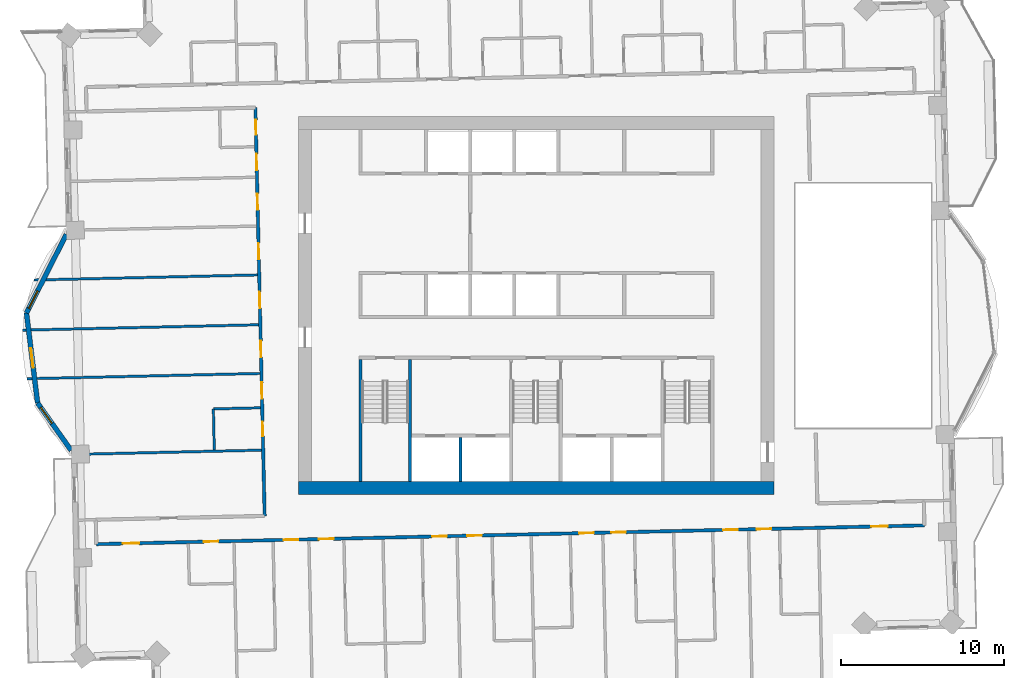
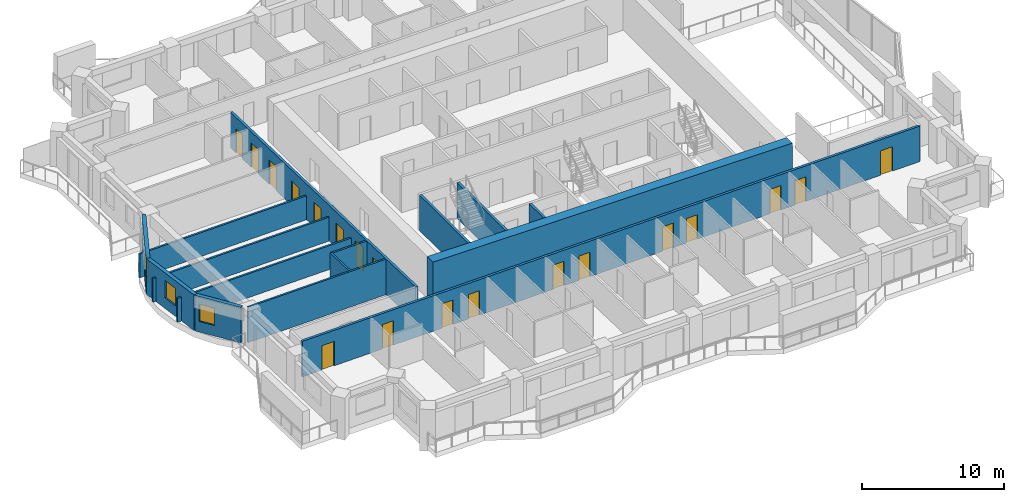
# One storey, part 7 of 16: 19 doors, 15 walls, 3 windows, 22 openings.
"""IFC4 building model written with IfcOpenShell, lengths in metres."""

import ifcopenshell
import ifcopenshell.guid

model = None  # the IFC model being written
_history = None  # IfcOwnerHistory: only IFC2X3 demands one
_inside = {}  # id of a spatial element -> (the spatial element, [elements in it])
_under = {}  # id of a project, library or spatial element -> (it, [spatial elements below it])
_declared = {}  # id of a project -> (the project, [libraries it declares])
_typed = {}  # id of a type object -> (the type object, [elements of that type])
_made_of = {}  # id of a material, layer set ... -> (it, [elements and type objects made of it])


def new_model(schema):
    """Start an empty IFC model of exactly this schema.

    Asked for "IFC4X3", IfcOpenShell would pick the latest addendum, in which some entities
    have other attributes; the version numbers below select the first issue.
    IFC2X3 requires an IfcOwnerHistory on every rooted entity: one is made here for all.
    """
    global model, _history
    if schema == "IFC4X3":
        model = ifcopenshell.file(schema_version=(4, 3, 0, 0))
    else:
        model = ifcopenshell.file(schema=schema)
    _inside.clear()
    _under.clear()
    _declared.clear()
    _typed.clear()
    _made_of.clear()
    _history = None
    if model.schema == "IFC2X3":
        org = make("IfcOrganization", Name="unknown")
        user = make(
            "IfcPersonAndOrganization",
            ThePerson=make("IfcPerson", FamilyName="unknown"),
            TheOrganization=org,
        )
        app = make(
            "IfcApplication",
            ApplicationDeveloper=org,
            Version="unknown",
            ApplicationFullName="unknown",
            ApplicationIdentifier="unknown",
        )
        _history = make(
            "IfcOwnerHistory",
            OwningUser=user,
            OwningApplication=app,
            ChangeAction="ADDED",
            CreationDate=0,
        )
    return model


def make(cls, **values):
    """One entity of the class cls with the attributes given. An attribute that is None is left unset."""
    return model.create_entity(
        cls, **{name: value for name, value in values.items() if value is not None}
    )


def rooted(cls, **values):
    """An entity with a GlobalId (a new one), such as an element, a storey or a relation."""
    return make(cls, GlobalId=ifcopenshell.guid.new(), OwnerHistory=_history, **values)


def si_unit(unit_type, name, prefix=None):
    """IfcSIUnit, for example si_unit("LENGTHUNIT", "METRE", prefix="MILLI")."""
    return make("IfcSIUnit", UnitType=unit_type, Prefix=prefix, Name=name)


def assignment(units):
    """IfcUnitAssignment: the units of a project."""
    return None if units is None else make("IfcUnitAssignment", Units=units)


def point(xyz):
    """IfcCartesianPoint."""
    return None if xyz is None else make("IfcCartesianPoint", Coordinates=xyz)


def direction(xyz):
    """IfcDirection."""
    return None if xyz is None else make("IfcDirection", DirectionRatios=xyz)


def frame(location, z_axis=None, x_axis=None):
    """IfcAxis2Placement3D, a coordinate frame: its origin and axes. An axis left out is left unset."""
    return make(
        "IfcAxis2Placement3D",
        Location=point(location),
        Axis=direction(z_axis),
        RefDirection=direction(x_axis),
    )


def frame_2d(location, x_axis=None):
    """IfcAxis2Placement2D, a coordinate frame in the plane: its origin and x axis."""
    return make(
        "IfcAxis2Placement2D", Location=point(location), RefDirection=direction(x_axis)
    )


def origin():
    """The frame at (0, 0, 0) with its axes left unset."""
    return frame((0.0, 0.0, 0.0))


def place(relative_to, where):
    """IfcLocalPlacement: puts the frame where relative to a parent placement (None: the world)."""
    return make(
        "IfcLocalPlacement", PlacementRelTo=relative_to, RelativePlacement=where
    )


def context(
    kind, dimensions, precision=None, world=None, true_north=None, identifier=None
):
    """IfcGeometricRepresentationContext, for example the 3D "Model" context."""
    return make(
        "IfcGeometricRepresentationContext",
        ContextIdentifier=identifier,
        ContextType=kind,
        CoordinateSpaceDimension=dimensions,
        Precision=precision,
        WorldCoordinateSystem=world,
        TrueNorth=true_north,
    )


def subcontext(parent, identifier, kind, view, scale=None):
    """IfcGeometricRepresentationSubContext, for example "Body" below "Model"."""
    return make(
        "IfcGeometricRepresentationSubContext",
        ContextIdentifier=identifier,
        ContextType=kind,
        ParentContext=parent,
        TargetScale=scale,
        TargetView=view,
    )


def project(units=None, contexts=None):
    """IfcProject with its units and contexts."""
    return rooted(
        "IfcProject",
        Name="project",
        RepresentationContexts=contexts,
        UnitsInContext=assignment(units),
    )


def spatial(cls, under=None, at=None, **own):
    """A site, building, storey or space (cls), placed at a placement, below another one or the project."""
    s = rooted(cls, ObjectPlacement=at, **own)
    if under is not None:
        _under.setdefault(under.id(), (under, []))[1].append(s)
    return s


def profile(cls, at=None, kind="AREA", **sizes):
    """A parametric profile (cls). Its sizes go by their IFC names, for example OverallWidth=200.0."""
    return make(cls, ProfileType=kind, Position=at, **sizes)


def rectangle(**sizes):
    """IfcRectangleProfileDef."""
    return profile("IfcRectangleProfileDef", **sizes)


def extrude(swept, where, along, depth):
    """IfcExtrudedAreaSolid: the profile swept, set in the frame where, extruded along a direction by depth."""
    return make(
        "IfcExtrudedAreaSolid",
        SweptArea=swept,
        Position=where,
        ExtrudedDirection=direction(along),
        Depth=depth,
    )


def shape(context_of_items, identifier, shape_type, items):
    """IfcShapeRepresentation: the items that make up one representation, for example the "Body"."""
    return make(
        "IfcShapeRepresentation",
        ContextOfItems=context_of_items,
        RepresentationIdentifier=identifier,
        RepresentationType=shape_type,
        Items=items,
    )


def material(Name=None, Category=None):
    """IfcMaterial."""
    return make("IfcMaterial", Name=Name, Category=Category)


def layer(
    of_material, thickness, ventilated=None, Name=None, Category=None, Priority=None
):
    """IfcMaterialLayer: one layer of a wall or slab, of a material (None: an air gap)."""
    return make(
        "IfcMaterialLayer",
        Material=of_material,
        LayerThickness=thickness,
        IsVentilated=ventilated,
        Name=Name,
        Category=Category,
        Priority=Priority,
    )


def layer_set(layers, Name=None):
    """IfcMaterialLayerSet."""
    return make("IfcMaterialLayerSet", MaterialLayers=layers, LayerSetName=Name)


def made_of(thing, what):
    """Note that an element or type object is made of a material, layer set ...; save() writes the relation."""
    if what is not None:
        _made_of.setdefault(what.id(), (what, []))[1].append(thing)
    return thing


def type_object(cls, material=None, **own):
    """A type object (cls), such as IfcWallType, which elements share."""
    return made_of(rooted(cls, **own), material)


def element(
    cls,
    number,
    at=None,
    inside=None,
    cuts=None,
    type_object=None,
    material=None,
    context=None,
    identifier="Body",
    shape_type=None,
    held_by="IfcProductDefinitionShape",
    body=None,
    shapes=None,
    **own,
):
    """One element of the class cls, such as IfcWall. Its Tag is "e" and its number.

    at: its placement. inside: the storey or other place that contains it. cuts: it is an
    opening in that element (IfcRelVoidsElement). A single representation is given by context,
    identifier, shape_type and body (its items); several are given by shapes. held_by: the class
    of the entity that holds the representations. save() writes the other relations.
    """
    e = rooted(cls, Tag="e%d" % number, ObjectPlacement=at, **own)
    if body is not None:
        shapes = [shape(context, identifier, shape_type, body)]
    if shapes is not None:
        e.Representation = make(held_by, Representations=shapes)
    if inside is not None:
        _inside.setdefault(inside.id(), (inside, []))[1].append(e)
    if cuts is not None:
        rooted(
            "IfcRelVoidsElement", RelatingBuildingElement=cuts, RelatedOpeningElement=e
        )
    if type_object is not None:
        _typed.setdefault(type_object.id(), (type_object, []))[1].append(e)
    return made_of(e, material)


def fill(opening, filler):
    """IfcRelFillsElement: the door or window that sits in an opening."""
    return rooted(
        "IfcRelFillsElement",
        RelatingOpeningElement=opening,
        RelatedBuildingElement=filler,
    )


def aggregate(whole, parts):
    """IfcRelAggregates: a whole, such as a stair, and the parts it consists of."""
    return rooted("IfcRelAggregates", RelatingObject=whole, RelatedObjects=parts)


def save(model, path):
    """Write the relations noted so far, then the file.

    IfcRelAggregates (storeys below a building ...), IfcRelContainedInSpatialStructure (elements
    in a storey), IfcRelDefinesByType, IfcRelAssociatesMaterial and IfcRelDeclares: one each for
    every whole, place, type object, material and project.
    """
    for whole, parts in _under.values():
        aggregate(whole, parts)
    for where, things in _inside.values():
        rooted(
            "IfcRelContainedInSpatialStructure",
            RelatedElements=things,
            RelatingStructure=where,
        )
    for kind, things in _typed.values():
        rooted("IfcRelDefinesByType", RelatedObjects=things, RelatingType=kind)
    for what, things in _made_of.values():
        rooted("IfcRelAssociatesMaterial", RelatedObjects=things, RelatingMaterial=what)
    for by, libraries in _declared.values():
        rooted("IfcRelDeclares", RelatingContext=by, RelatedDefinitions=libraries)
    model.write(path)


model = new_model("IFC4")

# Units and contexts
model_context = context("Model", 3, precision=1e-05, world=origin(), true_north=direction((0.0, 1.0)))
body_context = subcontext(model_context, "Body", "Model", "MODEL_VIEW")
ifc_project = project(units=[si_unit("LENGTHUNIT", "METRE"), si_unit("AREAUNIT", "SQUARE_METRE"), si_unit("VOLUMEUNIT", "CUBIC_METRE"), si_unit("PLANEANGLEUNIT", "RADIAN"), si_unit("MASSUNIT", "GRAM", prefix="KILO")], contexts=[model_context])

# Site, building, storey
site_placement = place(None, origin())
site = spatial("IfcSite", under=ifc_project, at=site_placement, CompositionType="ELEMENT")
building_placement = place(site_placement, origin())
building = spatial("IfcBuilding", under=site, at=building_placement, Name="Mangrove Gate Tower", CompositionType="ELEMENT")
storey_placement = place(building_placement, frame((0.0, 0.0, 231.10009765625)))
storey = spatial("IfcBuildingStorey", under=building, at=storey_placement, Name="L58", CompositionType="ELEMENT", Elevation=231.10009765625)

# Walls
ifc_material_1 = material(Name="Concrete C60/75", Category="concrete")
ifc_layer_1 = layer(ifc_material_1, 0.199951171875)
ifc_layer_set_1 = layer_set([ifc_layer_1], Name="Core shaft wall 200 C60/75")
wall_type_1 = type_object("IfcWallType", Name="Core shaft wall 200 C60/75", PredefinedType="SHEAR", material=ifc_layer_set_1)
wall_1_placement = place(storey_placement, frame((-4.64990234375, -10.800048828125, 0.0), z_axis=(0.0, 0.0, 1.0), x_axis=(0.0, 1.0, 0.0)))
element("IfcWall", 1, at=wall_1_placement, inside=storey, type_object=wall_type_1, Name="WALL-L58-CORE-16", PredefinedType="SHEAR", context=body_context, shape_type="SweptSolid", body=[
    extrude(rectangle(XDim=2.699951171875, YDim=0.199951171875, at=frame_2d((1.35009765625, 0.0))), origin(), (0.0, 0.0, 1.0), 3.0498046875),
])
ifc_material_2 = material(Name="Concrete C60/75", Category="concrete")
ifc_layer_2 = layer(ifc_material_2, 0.199951171875)
ifc_layer_set_2 = layer_set([ifc_layer_2], Name="Core stair wall 200 C60/75")
wall_type_2 = type_object("IfcWallType", Name="Core stair wall 200 C60/75", PredefinedType="SHEAR", material=ifc_layer_set_2)
for number, where, z_axis, x_axis, name in (
    (2, (-10.800048828125, -10.800048828125, 0.0), (0.0, 0.0, 1.0), (0.0, 1.0, 0.0), "WALL-L58-CORE-9"),
    (3, (-7.75, -10.800048828125, 0.0), (0.0, 0.0, 1.0), (0.0, 1.0, 0.0), "WALL-L58-CORE-10"),
):
    element("IfcWall", number, at=place(storey_placement, frame(where, z_axis=z_axis, x_axis=x_axis)), inside=storey, type_object=wall_type_2, Name=name, PredefinedType="SHEAR", context=body_context, shape_type="SweptSolid", body=[
        extrude(rectangle(XDim=7.5, YDim=0.199951171875, at=frame_2d((3.75, 0.0))), origin(), (0.0, 0.0, 1.0), 3.0498046875),
    ])
ifc_material_3 = material(Name="Concrete C60/75", Category="concrete")
ifc_layer_3 = layer(ifc_material_3, 0.800048828125)
ifc_layer_set_3 = layer_set([ifc_layer_3], Name="Core wall 800 C60/75")
wall_type_3 = type_object("IfcWallType", Name="Core wall 800 C60/75", PredefinedType="SHEAR", material=ifc_layer_set_3)
wall_2_placement = place(storey_placement, frame((-14.60009765625, -11.199951171875, 0.0), z_axis=(0.0, 0.0, 1.0), x_axis=(1.0, 0.0, 0.0)))
element("IfcWall", 4, at=wall_2_placement, inside=storey, type_object=wall_type_3, Name="WALL-L58-CORE-1", PredefinedType="SHEAR", context=body_context, shape_type="SweptSolid", body=[
    extrude(rectangle(XDim=29.2001953125, YDim=0.800048828125, at=frame_2d((14.60009765625, 0.0))), origin(), (0.0, 0.0, 1.0), 3.599853515625),
])

# Wall, openings, doors
ifc_material_4 = material(Name="Gypsum board on steel stud, EI 60", Category="steel")
ifc_layer_4 = layer(ifc_material_4, 0.199951171875)
ifc_layer_set_4 = layer_set([ifc_layer_4], Name="Corridor wall EI 60")
wall_type_4 = type_object("IfcWallType", Name="Corridor wall EI 60", PredefinedType="PARTITIONING", material=ifc_layer_set_4)
wall_3_placement = place(storey_placement, frame((-27.01611328125, -14.64990234375, 0.0), z_axis=(0.0, 0.0, 1.0), x_axis=(0.999742623033, 0.022686729391, 0.0)))
wall_3 = element("IfcWall", 5, at=wall_3_placement, inside=storey, type_object=wall_type_4, Name="WALL-L58-029", PredefinedType="PARTITIONING", context=body_context, shape_type="SweptSolid", body=[
    extrude(rectangle(XDim=50.8583984375, YDim=0.199951171875, at=frame_2d((25.42919921875, 0.0))), origin(), (0.0, 0.0, 1.0), 3.0498046875),
])
opening_1_placement = place(wall_3_placement, frame((1.625, 0.0, 0.0)))
opening_1 = element("IfcOpeningElement", 6, at=opening_1_placement, cuts=wall_3, Name="Opening AD", PredefinedType="OPENING", context=body_context, shape_type="SweptSolid", body=[
    extrude(rectangle(XDim=1.0, YDim=2.10009765625, at=frame_2d((0.5, 1.050048828125))), frame((0.0, 0.10986328125, 0.0), z_axis=(0.0, -1.0, 0.0), x_axis=(1.0, 0.0, 0.0)), (0.0, 0.0, 1.0), 0.219970703125),
])
opening_2_placement = place(wall_3_placement, frame((6.60009765625, 0.0, 0.0)))
opening_2 = element("IfcOpeningElement", 7, at=opening_2_placement, cuts=wall_3, Name="Opening SD", PredefinedType="OPENING", context=body_context, shape_type="SweptSolid", body=[
    extrude(rectangle(XDim=0.89990234375, YDim=2.10009765625, at=frame_2d((0.449951171875, 1.050048828125))), frame((0.0, 0.10986328125, 0.0), z_axis=(0.0, -1.0, 0.0), x_axis=(1.0, 0.0, 0.0)), (0.0, 0.0, 1.0), 0.219970703125),
])
opening_3_placement = place(wall_3_placement, frame((11.5, 0.0, 0.0)))
opening_3 = element("IfcOpeningElement", 8, at=opening_3_placement, cuts=wall_3, Name="Opening BD", PredefinedType="OPENING", context=body_context, shape_type="SweptSolid", body=[
    extrude(rectangle(XDim=0.89990234375, YDim=2.10009765625, at=frame_2d((0.449951171875, 1.050048828125))), frame((0.0, 0.10986328125, 0.0), z_axis=(0.0, -1.0, 0.0), x_axis=(1.0, 0.0, 0.0)), (0.0, 0.0, 1.0), 0.219970703125),
])
opening_4_placement = place(wall_3_placement, frame((13.675048828125, 0.0, 0.0)))
opening_4 = element("IfcOpeningElement", 9, at=opening_4_placement, cuts=wall_3, Name="Opening BD", PredefinedType="OPENING", context=body_context, shape_type="SweptSolid", body=[
    extrude(rectangle(XDim=0.89990234375, YDim=2.10009765625, at=frame_2d((0.449951171875, 1.050048828125))), frame((0.0, 0.10986328125, 0.0), z_axis=(0.0, -1.0, 0.0), x_axis=(1.0, 0.0, 0.0)), (0.0, 0.0, 1.0), 0.219970703125),
])
opening_5_placement = place(wall_3_placement, frame((20.625, 0.0, 0.0)))
opening_5 = element("IfcOpeningElement", 10, at=opening_5_placement, cuts=wall_3, Name="Opening BD", PredefinedType="OPENING", context=body_context, shape_type="SweptSolid", body=[
    extrude(rectangle(XDim=0.89990234375, YDim=2.10009765625, at=frame_2d((0.449951171875, 1.050048828125))), frame((0.0, 0.10986328125, 0.0), z_axis=(0.0, -1.0, 0.0), x_axis=(1.0, 0.0, 0.0)), (0.0, 0.0, 1.0), 0.219970703125),
])
opening_6_placement = place(wall_3_placement, frame((22.77490234375, 0.0, 0.0)))
opening_6 = element("IfcOpeningElement", 11, at=opening_6_placement, cuts=wall_3, Name="Opening BD", PredefinedType="OPENING", context=body_context, shape_type="SweptSolid", body=[
    extrude(rectangle(XDim=0.89990234375, YDim=2.10009765625, at=frame_2d((0.449951171875, 1.050048828125))), frame((0.0, 0.10986328125, 0.0), z_axis=(0.0, -1.0, 0.0), x_axis=(1.0, 0.0, 0.0)), (0.0, 0.0, 1.0), 0.219970703125),
])
opening_7_placement = place(wall_3_placement, frame((29.64990234375, 0.0, 0.0)))
opening_7 = element("IfcOpeningElement", 12, at=opening_7_placement, cuts=wall_3, Name="Opening BD", PredefinedType="OPENING", context=body_context, shape_type="SweptSolid", body=[
    extrude(rectangle(XDim=0.89990234375, YDim=2.10009765625, at=frame_2d((0.449951171875, 1.050048828125))), frame((0.0, 0.10986328125, 0.0), z_axis=(0.0, -1.0, 0.0), x_axis=(1.0, 0.0, 0.0)), (0.0, 0.0, 1.0), 0.219970703125),
])
opening_8_placement = place(wall_3_placement, frame((31.625, 0.0, 0.0)))
opening_8 = element("IfcOpeningElement", 13, at=opening_8_placement, cuts=wall_3, Name="Opening BD", PredefinedType="OPENING", context=body_context, shape_type="SweptSolid", body=[
    extrude(rectangle(XDim=0.89990234375, YDim=2.10009765625, at=frame_2d((0.449951171875, 1.050048828125))), frame((0.0, 0.10986328125, 0.0), z_axis=(0.0, -1.0, 0.0), x_axis=(1.0, 0.0, 0.0)), (0.0, 0.0, 1.0), 0.219970703125),
])
opening_9_placement = place(wall_3_placement, frame((38.5, 0.0, 0.0)))
opening_9 = element("IfcOpeningElement", 14, at=opening_9_placement, cuts=wall_3, Name="Opening BD", PredefinedType="OPENING", context=body_context, shape_type="SweptSolid", body=[
    extrude(rectangle(XDim=0.89990234375, YDim=2.10009765625, at=frame_2d((0.449951171875, 1.050048828125))), frame((0.0, 0.10986328125, 0.0), z_axis=(0.0, -1.0, 0.0), x_axis=(1.0, 0.0, 0.0)), (0.0, 0.0, 1.0), 0.219970703125),
])
opening_10_placement = place(wall_3_placement, frame((40.550048828125, 0.0, 0.0)))
opening_10 = element("IfcOpeningElement", 15, at=opening_10_placement, cuts=wall_3, Name="Opening BD", PredefinedType="OPENING", context=body_context, shape_type="SweptSolid", body=[
    extrude(rectangle(XDim=0.89990234375, YDim=2.10009765625, at=frame_2d((0.449951171875, 1.050048828125))), frame((0.0, 0.10986328125, 0.0), z_axis=(0.0, -1.0, 0.0), x_axis=(1.0, 0.0, 0.0)), (0.0, 0.0, 1.0), 0.219970703125),
])
opening_11_placement = place(wall_3_placement, frame((47.60107421875, 0.0, 0.0)))
opening_11 = element("IfcOpeningElement", 16, at=opening_11_placement, cuts=wall_3, Name="Opening AD", PredefinedType="OPENING", context=body_context, shape_type="SweptSolid", body=[
    extrude(rectangle(XDim=1.0, YDim=2.10009765625, at=frame_2d((0.5, 1.050048828125))), frame((0.0, 0.10986328125, 0.0), z_axis=(0.0, -1.0, 0.0), x_axis=(1.0, 0.0, 0.0)), (0.0, 0.0, 1.0), 0.219970703125),
])
ifc_material_5 = material(Name="Timber door leaf", Category="wood")
door_type_1 = type_object("IfcDoorType", Name="Amenity door 1000", OperationType="SINGLE_SWING_LEFT", PredefinedType="DOOR", material=ifc_material_5)
door_1_placement = place(opening_1_placement, origin())
door_1 = element("IfcDoor", 17, at=door_1_placement, inside=storey, type_object=door_type_1, Name="DOOR-L58-KIT-c1a", OperationType="SINGLE_SWING_LEFT", OverallHeight=2.10009765625, OverallWidth=1.0, PredefinedType="DOOR", context=body_context, shape_type="SweptSolid", body=[
    extrude(rectangle(XDim=1.0, YDim=2.10009765625, at=frame_2d((0.5, 1.050048828125))), frame((0.0, 0.02490234375, 0.0), z_axis=(0.0, -1.0, 0.0), x_axis=(1.0, 0.0, 0.0)), (0.0, 0.0, 1.0), 0.050048828125),
])
fill(opening_1, door_1)
door_2_placement = place(opening_11_placement, origin())
door_2 = element("IfcDoor", 18, at=door_2_placement, inside=storey, type_object=door_type_1, Name="DOOR-L58-STU-c3a", OperationType="SINGLE_SWING_RIGHT", OverallHeight=2.10009765625, OverallWidth=1.0, PredefinedType="DOOR", context=body_context, shape_type="SweptSolid", body=[
    extrude(rectangle(XDim=1.0, YDim=2.10009765625, at=frame_2d((0.5, 1.050048828125))), frame((0.0, 0.02490234375, 0.0), z_axis=(0.0, -1.0, 0.0), x_axis=(1.0, 0.0, 0.0)), (0.0, 0.0, 1.0), 0.050048828125),
])
fill(opening_11, door_2)
ifc_material_6 = material(Name="Timber door leaf", Category="wood")
door_type_2 = type_object("IfcDoorType", Name="Bedroom door 900", OperationType="SINGLE_SWING_LEFT", PredefinedType="DOOR", material=ifc_material_6)
door_3_placement = place(opening_3_placement, origin())
door_3 = element("IfcDoor", 19, at=door_3_placement, inside=storey, type_object=door_type_2, Name="DOOR-L58-BED-c101", OperationType="SINGLE_SWING_LEFT", OverallHeight=2.10009765625, OverallWidth=0.89990234375, PredefinedType="DOOR", context=body_context, shape_type="SweptSolid", body=[
    extrude(rectangle(XDim=0.89990234375, YDim=2.10009765625, at=frame_2d((0.449951171875, 1.050048828125))), frame((0.0, 0.02490234375, 0.0), z_axis=(0.0, -1.0, 0.0), x_axis=(1.0, 0.0, 0.0)), (0.0, 0.0, 1.0), 0.050048828125),
])
fill(opening_3, door_3)
door_4_placement = place(opening_4_placement, origin())
door_4 = element("IfcDoor", 20, at=door_4_placement, inside=storey, type_object=door_type_2, Name="DOOR-L58-BED-c102", OperationType="SINGLE_SWING_RIGHT", OverallHeight=2.10009765625, OverallWidth=0.89990234375, PredefinedType="DOOR", context=body_context, shape_type="SweptSolid", body=[
    extrude(rectangle(XDim=0.89990234375, YDim=2.10009765625, at=frame_2d((0.449951171875, 1.050048828125))), frame((0.0, 0.02490234375, 0.0), z_axis=(0.0, -1.0, 0.0), x_axis=(1.0, 0.0, 0.0)), (0.0, 0.0, 1.0), 0.050048828125),
])
fill(opening_4, door_4)
door_5_placement = place(opening_5_placement, origin())
door_5 = element("IfcDoor", 21, at=door_5_placement, inside=storey, type_object=door_type_2, Name="DOOR-L58-BED-c103", OperationType="SINGLE_SWING_LEFT", OverallHeight=2.10009765625, OverallWidth=0.89990234375, PredefinedType="DOOR", context=body_context, shape_type="SweptSolid", body=[
    extrude(rectangle(XDim=0.89990234375, YDim=2.10009765625, at=frame_2d((0.449951171875, 1.050048828125))), frame((0.0, 0.02490234375, 0.0), z_axis=(0.0, -1.0, 0.0), x_axis=(1.0, 0.0, 0.0)), (0.0, 0.0, 1.0), 0.050048828125),
])
fill(opening_5, door_5)
door_6_placement = place(opening_6_placement, origin())
door_6 = element("IfcDoor", 22, at=door_6_placement, inside=storey, type_object=door_type_2, Name="DOOR-L58-BED-c104", OperationType="SINGLE_SWING_RIGHT", OverallHeight=2.10009765625, OverallWidth=0.89990234375, PredefinedType="DOOR", context=body_context, shape_type="SweptSolid", body=[
    extrude(rectangle(XDim=0.89990234375, YDim=2.10009765625, at=frame_2d((0.449951171875, 1.050048828125))), frame((0.0, 0.02490234375, 0.0), z_axis=(0.0, -1.0, 0.0), x_axis=(1.0, 0.0, 0.0)), (0.0, 0.0, 1.0), 0.050048828125),
])
fill(opening_6, door_6)
door_7_placement = place(opening_7_placement, origin())
door_7 = element("IfcDoor", 23, at=door_7_placement, inside=storey, type_object=door_type_2, Name="DOOR-L58-BED-c205", OperationType="SINGLE_SWING_LEFT", OverallHeight=2.10009765625, OverallWidth=0.89990234375, PredefinedType="DOOR", context=body_context, shape_type="SweptSolid", body=[
    extrude(rectangle(XDim=0.89990234375, YDim=2.10009765625, at=frame_2d((0.449951171875, 1.050048828125))), frame((0.0, 0.02490234375, 0.0), z_axis=(0.0, -1.0, 0.0), x_axis=(1.0, 0.0, 0.0)), (0.0, 0.0, 1.0), 0.050048828125),
])
fill(opening_7, door_7)
door_8_placement = place(opening_8_placement, origin())
door_8 = element("IfcDoor", 24, at=door_8_placement, inside=storey, type_object=door_type_2, Name="DOOR-L58-BED-c206", OperationType="SINGLE_SWING_RIGHT", OverallHeight=2.10009765625, OverallWidth=0.89990234375, PredefinedType="DOOR", context=body_context, shape_type="SweptSolid", body=[
    extrude(rectangle(XDim=0.89990234375, YDim=2.10009765625, at=frame_2d((0.449951171875, 1.050048828125))), frame((0.0, 0.02490234375, 0.0), z_axis=(0.0, -1.0, 0.0), x_axis=(1.0, 0.0, 0.0)), (0.0, 0.0, 1.0), 0.050048828125),
])
fill(opening_8, door_8)
door_9_placement = place(opening_9_placement, origin())
door_9 = element("IfcDoor", 25, at=door_9_placement, inside=storey, type_object=door_type_2, Name="DOOR-L58-BED-c207", OperationType="SINGLE_SWING_LEFT", OverallHeight=2.10009765625, OverallWidth=0.89990234375, PredefinedType="DOOR", context=body_context, shape_type="SweptSolid", body=[
    extrude(rectangle(XDim=0.89990234375, YDim=2.10009765625, at=frame_2d((0.449951171875, 1.050048828125))), frame((0.0, 0.02490234375, 0.0), z_axis=(0.0, -1.0, 0.0), x_axis=(1.0, 0.0, 0.0)), (0.0, 0.0, 1.0), 0.050048828125),
])
fill(opening_9, door_9)
door_10_placement = place(opening_10_placement, origin())
door_10 = element("IfcDoor", 26, at=door_10_placement, inside=storey, type_object=door_type_2, Name="DOOR-L58-BED-c308", OperationType="SINGLE_SWING_RIGHT", OverallHeight=2.10009765625, OverallWidth=0.89990234375, PredefinedType="DOOR", context=body_context, shape_type="SweptSolid", body=[
    extrude(rectangle(XDim=0.89990234375, YDim=2.10009765625, at=frame_2d((0.449951171875, 1.050048828125))), frame((0.0, 0.02490234375, 0.0), z_axis=(0.0, -1.0, 0.0), x_axis=(1.0, 0.0, 0.0)), (0.0, 0.0, 1.0), 0.050048828125),
])
fill(opening_10, door_10)
ifc_material_7 = material(Name="Timber door leaf", Category="wood")
door_type_3 = type_object("IfcDoorType", Name="Service room door 900", OperationType="SINGLE_SWING_LEFT", PredefinedType="DOOR", material=ifc_material_7)
door_11_placement = place(opening_2_placement, origin())
door_11 = element("IfcDoor", 27, at=door_11_placement, inside=storey, type_object=door_type_3, Name="DOOR-L58-LDY-c1a", OperationType="SINGLE_SWING_LEFT", OverallHeight=2.10009765625, OverallWidth=0.89990234375, PredefinedType="DOOR", context=body_context, shape_type="SweptSolid", body=[
    extrude(rectangle(XDim=0.89990234375, YDim=2.10009765625, at=frame_2d((0.449951171875, 1.050048828125))), frame((0.0, 0.02490234375, 0.0), z_axis=(0.0, -1.0, 0.0), x_axis=(1.0, 0.0, 0.0)), (0.0, 0.0, 1.0), 0.050048828125),
])
fill(opening_2, door_11)

wall_4_placement = place(storey_placement, frame((-16.677978515625, -12.9189453125, 0.0), z_axis=(0.0, 0.0, 1.0), x_axis=(-0.022696191528, 0.999742408268, 0.0)))
wall_4 = element("IfcWall", 28, at=wall_4_placement, inside=storey, type_object=wall_type_4, Name="WALL-L58-030", PredefinedType="PARTITIONING", context=body_context, shape_type="SweptSolid", body=[
    extrude(rectangle(XDim=25.07421875, YDim=0.199951171875, at=frame_2d((12.537109375, 0.0))), origin(), (0.0, 0.0, 1.0), 3.0498046875),
])
opening_12_placement = place(wall_4_placement, frame((21.237060546875, 0.0, 0.0)))
opening_12 = element("IfcOpeningElement", 29, at=opening_12_placement, cuts=wall_4, Name="Opening AD", PredefinedType="OPENING", context=body_context, shape_type="SweptSolid", body=[
    extrude(rectangle(XDim=1.0, YDim=2.10009765625, at=frame_2d((0.5, 1.050048828125))), frame((0.0, 0.10986328125, 0.0), z_axis=(0.0, -1.0, 0.0), x_axis=(1.0, 0.0, 0.0)), (0.0, 0.0, 1.0), 0.219970703125),
])
opening_13_placement = place(wall_4_placement, frame((23.424072265625, 0.0, 0.0)))
opening_13 = element("IfcOpeningElement", 30, at=opening_13_placement, cuts=wall_4, Name="Opening SD", PredefinedType="OPENING", context=body_context, shape_type="SweptSolid", body=[
    extrude(rectangle(XDim=0.89990234375, YDim=2.10009765625, at=frame_2d((0.449951171875, 1.050048828125))), frame((0.0, 0.10986328125, 0.0), z_axis=(0.0, -1.0, 0.0), x_axis=(1.0, 0.0, 0.0)), (0.0, 0.0, 1.0), 0.219970703125),
])
opening_14_placement = place(wall_4_placement, frame((18.799072265625, 0.0, 0.0)))
opening_14 = element("IfcOpeningElement", 31, at=opening_14_placement, cuts=wall_4, Name="Opening AD", PredefinedType="OPENING", context=body_context, shape_type="SweptSolid", body=[
    extrude(rectangle(XDim=1.0, YDim=2.10009765625, at=frame_2d((0.5, 1.050048828125))), frame((0.0, 0.10986328125, 0.0), z_axis=(0.0, -1.0, 0.0), x_axis=(1.0, 0.0, 0.0)), (0.0, 0.0, 1.0), 0.219970703125),
])
opening_15_placement = place(wall_4_placement, frame((15.759033203125, 0.0, 0.0)))
opening_15 = element("IfcOpeningElement", 32, at=opening_15_placement, cuts=wall_4, Name="Opening AD", PredefinedType="OPENING", context=body_context, shape_type="SweptSolid", body=[
    extrude(rectangle(XDim=1.0, YDim=2.10009765625, at=frame_2d((0.5, 1.050048828125))), frame((0.0, 0.10986328125, 0.0), z_axis=(0.0, -1.0, 0.0), x_axis=(1.0, 0.0, 0.0)), (0.0, 0.0, 1.0), 0.219970703125),
])
opening_16_placement = place(wall_4_placement, frame((12.760009765625, 0.0, 0.0)))
opening_16 = element("IfcOpeningElement", 33, at=opening_16_placement, cuts=wall_4, Name="Opening AD", PredefinedType="OPENING", context=body_context, shape_type="SweptSolid", body=[
    extrude(rectangle(XDim=1.0, YDim=2.10009765625, at=frame_2d((0.5, 1.050048828125))), frame((0.0, 0.10986328125, 0.0), z_axis=(0.0, -1.0, 0.0), x_axis=(1.0, 0.0, 0.0)), (0.0, 0.0, 1.0), 0.219970703125),
])
opening_17_placement = place(wall_4_placement, frame((9.751953125, 0.0, 0.0)))
opening_17 = element("IfcOpeningElement", 34, at=opening_17_placement, cuts=wall_4, Name="Opening AD", PredefinedType="OPENING", context=body_context, shape_type="SweptSolid", body=[
    extrude(rectangle(XDim=1.0, YDim=2.10009765625, at=frame_2d((0.5, 1.050048828125))), frame((0.0, 0.10986328125, 0.0), z_axis=(0.0, -1.0, 0.0), x_axis=(1.0, 0.0, 0.0)), (0.0, 0.0, 1.0), 0.219970703125),
])
opening_18_placement = place(wall_4_placement, frame((7.198974609375, 0.0, 0.0)))
opening_18 = element("IfcOpeningElement", 35, at=opening_18_placement, cuts=wall_4, Name="Opening AD", PredefinedType="OPENING", context=body_context, shape_type="SweptSolid", body=[
    extrude(rectangle(XDim=1.0, YDim=2.10009765625, at=frame_2d((0.5, 1.050048828125))), frame((0.0, 0.10986328125, 0.0), z_axis=(0.0, -1.0, 0.0), x_axis=(1.0, 0.0, 0.0)), (0.0, 0.0, 1.0), 0.219970703125),
])
opening_19_placement = place(wall_4_placement, frame((4.89892578125, 0.0, 0.0)))
opening_19 = element("IfcOpeningElement", 36, at=opening_19_placement, cuts=wall_4, Name="Opening SD", PredefinedType="OPENING", context=body_context, shape_type="SweptSolid", body=[
    extrude(rectangle(XDim=0.89990234375, YDim=2.10009765625, at=frame_2d((0.449951171875, 1.050048828125))), frame((0.0, 0.10986328125, 0.0), z_axis=(0.0, -1.0, 0.0), x_axis=(1.0, 0.0, 0.0)), (0.0, 0.0, 1.0), 0.219970703125),
])
door_12_placement = place(opening_12_placement, origin())
door_12 = element("IfcDoor", 37, at=door_12_placement, inside=storey, type_object=door_type_1, Name="DOOR-L58-GAM-c5a", OperationType="SINGLE_SWING_LEFT", OverallHeight=2.10009765625, OverallWidth=1.0, PredefinedType="DOOR", context=body_context, shape_type="SweptSolid", body=[
    extrude(rectangle(XDim=1.0, YDim=2.10009765625, at=frame_2d((0.5, 1.050048828125))), frame((0.0, 0.02490234375, 0.0), z_axis=(0.0, -1.0, 0.0), x_axis=(1.0, 0.0, 0.0)), (0.0, 0.0, 1.0), 0.050048828125),
])
fill(opening_12, door_12)
door_13_placement = place(opening_14_placement, origin())
door_13 = element("IfcDoor", 38, at=door_13_placement, inside=storey, type_object=door_type_1, Name="DOOR-L58-STU-c5a", OperationType="SINGLE_SWING_RIGHT", OverallHeight=2.10009765625, OverallWidth=1.0, PredefinedType="DOOR", context=body_context, shape_type="SweptSolid", body=[
    extrude(rectangle(XDim=1.0, YDim=2.10009765625, at=frame_2d((0.5, 1.050048828125))), frame((0.0, 0.02490234375, 0.0), z_axis=(0.0, -1.0, 0.0), x_axis=(1.0, 0.0, 0.0)), (0.0, 0.0, 1.0), 0.050048828125),
])
fill(opening_14, door_13)
door_14_placement = place(opening_15_placement, origin())
door_14 = element("IfcDoor", 39, at=door_14_placement, inside=storey, type_object=door_type_1, Name="DOOR-L58-STU-c5b", OperationType="SINGLE_SWING_LEFT", OverallHeight=2.10009765625, OverallWidth=1.0, PredefinedType="DOOR", context=body_context, shape_type="SweptSolid", body=[
    extrude(rectangle(XDim=1.0, YDim=2.10009765625, at=frame_2d((0.5, 1.050048828125))), frame((0.0, 0.02490234375, 0.0), z_axis=(0.0, -1.0, 0.0), x_axis=(1.0, 0.0, 0.0)), (0.0, 0.0, 1.0), 0.050048828125),
])
fill(opening_15, door_14)
door_15_placement = place(opening_16_placement, origin())
door_15 = element("IfcDoor", 40, at=door_15_placement, inside=storey, type_object=door_type_1, Name="DOOR-L58-STU-c5c", OperationType="SINGLE_SWING_RIGHT", OverallHeight=2.10009765625, OverallWidth=1.0, PredefinedType="DOOR", context=body_context, shape_type="SweptSolid", body=[
    extrude(rectangle(XDim=1.0, YDim=2.10009765625, at=frame_2d((0.5, 1.050048828125))), frame((0.0, 0.02490234375, 0.0), z_axis=(0.0, -1.0, 0.0), x_axis=(1.0, 0.0, 0.0)), (0.0, 0.0, 1.0), 0.050048828125),
])
fill(opening_16, door_15)
door_16_placement = place(opening_17_placement, origin())
door_16 = element("IfcDoor", 41, at=door_16_placement, inside=storey, type_object=door_type_1, Name="DOOR-L58-STU-c5d", OperationType="SINGLE_SWING_LEFT", OverallHeight=2.10009765625, OverallWidth=1.0, PredefinedType="DOOR", context=body_context, shape_type="SweptSolid", body=[
    extrude(rectangle(XDim=1.0, YDim=2.10009765625, at=frame_2d((0.5, 1.050048828125))), frame((0.0, 0.02490234375, 0.0), z_axis=(0.0, -1.0, 0.0), x_axis=(1.0, 0.0, 0.0)), (0.0, 0.0, 1.0), 0.050048828125),
])
fill(opening_17, door_16)
door_17_placement = place(opening_18_placement, origin())
door_17 = element("IfcDoor", 42, at=door_17_placement, inside=storey, type_object=door_type_1, Name="DOOR-L58-LNG-c5b", OperationType="SINGLE_SWING_RIGHT", OverallHeight=2.10009765625, OverallWidth=1.0, PredefinedType="DOOR", context=body_context, shape_type="SweptSolid", body=[
    extrude(rectangle(XDim=1.0, YDim=2.10009765625, at=frame_2d((0.5, 1.050048828125))), frame((0.0, 0.02490234375, 0.0), z_axis=(0.0, -1.0, 0.0), x_axis=(1.0, 0.0, 0.0)), (0.0, 0.0, 1.0), 0.050048828125),
])
fill(opening_18, door_17)
door_18_placement = place(opening_13_placement, origin())
door_18 = element("IfcDoor", 43, at=door_18_placement, inside=storey, type_object=door_type_3, Name="DOOR-L58-LIN-c5a", OperationType="SINGLE_SWING_RIGHT", OverallHeight=2.10009765625, OverallWidth=0.89990234375, PredefinedType="DOOR", context=body_context, shape_type="SweptSolid", body=[
    extrude(rectangle(XDim=0.89990234375, YDim=2.10009765625, at=frame_2d((0.449951171875, 1.050048828125))), frame((0.0, 0.02490234375, 0.0), z_axis=(0.0, -1.0, 0.0), x_axis=(1.0, 0.0, 0.0)), (0.0, 0.0, 1.0), 0.050048828125),
])
fill(opening_13, door_18)
door_19_placement = place(opening_19_placement, origin())
door_19 = element("IfcDoor", 44, at=door_19_placement, inside=storey, type_object=door_type_3, Name="DOOR-L58-AWC-c5a", OperationType="SINGLE_SWING_LEFT", OverallHeight=2.10009765625, OverallWidth=0.89990234375, PredefinedType="DOOR", context=body_context, shape_type="SweptSolid", body=[
    extrude(rectangle(XDim=0.89990234375, YDim=2.10009765625, at=frame_2d((0.449951171875, 1.050048828125))), frame((0.0, 0.02490234375, 0.0), z_axis=(0.0, -1.0, 0.0), x_axis=(1.0, 0.0, 0.0)), (0.0, 0.0, 1.0), 0.050048828125),
])
fill(opening_19, door_19)

# Wall, opening, window
ifc_material_8 = material(Name="Limestone", Category="masonry")
ifc_layer_5 = layer(ifc_material_8, 0.0400390625, Name="Limestone cladding")
ifc_material_9 = material(Name="Ventilated air gap")
ifc_layer_6 = layer(ifc_material_9, 0.0400390625, Name="Ventilated cavity")
ifc_material_10 = material(Name="Mineral wool insulation")
ifc_layer_7 = layer(ifc_material_10, 0.06005859375, Name="Insulation")
ifc_material_11 = material(Name="Breather membrane")
ifc_layer_8 = layer(ifc_material_11, 0.001953125, Name="Breather membrane")
ifc_material_12 = material(Name="Concrete C20/25 blockwork", Category="masonry")
ifc_layer_9 = layer(ifc_material_12, 0.14990234375, Name="Blockwork backing wall")
ifc_material_13 = material(Name="Gypsum plaster")
ifc_layer_10 = layer(ifc_material_13, 0.008056640625, Name="Internal plaster")
ifc_layer_set_5 = layer_set([ifc_layer_5, ifc_layer_6, ifc_layer_7, ifc_layer_8, ifc_layer_9, ifc_layer_10], Name="External wall 300 limestone cladding")
wall_type_5 = type_object("IfcWallType", Name="External wall 300 limestone cladding", PredefinedType="SOLIDWALL", material=ifc_layer_set_5)
wall_5_placement = place(storey_placement, frame((-28.85693359375, 4.363037109375, 0.0), z_axis=(0.0, 0.0, 1.0), x_axis=(-0.45277700056, -0.891623792731, 0.0)))
wall_5 = element("IfcWall", 45, at=wall_5_placement, inside=storey, type_object=wall_type_5, Name="WALL-L58-W9f1", PredefinedType="SOLIDWALL", context=body_context, shape_type="SweptSolid", body=[
    extrude(rectangle(XDim=5.39794921875, YDim=0.300048828125, at=frame_2d((2.698974609375, 0.0))), origin(), (0.0, 0.0, 1.0), 3.0498046875),
])
opening_20_placement = place(wall_5_placement, frame((3.881103515625, 0.0, 0.89990234375)))
opening_20 = element("IfcOpeningElement", 46, at=opening_20_placement, cuts=wall_5, Name="Opening W1", PredefinedType="OPENING", context=body_context, shape_type="SweptSolid", body=[
    extrude(rectangle(XDim=1.199951171875, YDim=1.5, at=frame_2d((0.60009765625, 0.75))), frame((0.0, 0.159912109375, 0.0), z_axis=(0.0, -1.0, 0.0), x_axis=(1.0, 0.0, 0.0)), (0.0, 0.0, 1.0), 0.320068359375),
])
ifc_material_14 = material(Name="Aluminium frame with double-glazed low-e glass", Category="aluminium")
window_type = type_object("IfcWindowType", Name="Side lite 1200x1500", PartitioningType="SINGLE_PANEL", PredefinedType="WINDOW", material=ifc_material_14)
window_1_placement = place(opening_20_placement, origin())
window_1 = element("IfcWindow", 47, at=window_1_placement, inside=storey, type_object=window_type, Name="WIN-L58-W9f1", OverallHeight=1.5, OverallWidth=1.199951171875, PartitioningType="SINGLE_PANEL", PredefinedType="WINDOW", context=body_context, shape_type="SweptSolid", body=[
    extrude(rectangle(XDim=1.199951171875, YDim=1.5, at=frame_2d((0.60009765625, 0.75))), frame((0.0, 0.030029296875, 0.0), z_axis=(0.0, -1.0, 0.0), x_axis=(1.0, 0.0, 0.0)), (0.0, 0.0, 1.0), 0.06005859375),
])
fill(opening_20, window_1)

wall_6_placement = place(storey_placement, frame((-31.301025390625, -0.449951171875, 0.0), z_axis=(0.0, 0.0, 1.0), x_axis=(0.122163831021, -0.992509948761, 0.0)))
wall_6 = element("IfcWall", 48, at=wall_6_placement, inside=storey, type_object=wall_type_5, Name="WALL-L58-W9f2", PredefinedType="SOLIDWALL", context=body_context, shape_type="SweptSolid", body=[
    extrude(rectangle(XDim=5.57373046875, YDim=0.300048828125, at=frame_2d((2.786865234375, 0.0))), origin(), (0.0, 0.0, 1.0), 3.0498046875),
])
opening_21_placement = place(wall_6_placement, frame((2.18701171875, 0.0, 0.89990234375)))
opening_21 = element("IfcOpeningElement", 49, at=opening_21_placement, cuts=wall_6, Name="Opening W1", PredefinedType="OPENING", context=body_context, shape_type="SweptSolid", body=[
    extrude(rectangle(XDim=1.199951171875, YDim=1.5, at=frame_2d((0.60009765625, 0.75))), frame((0.0, 0.159912109375, 0.0), z_axis=(0.0, -1.0, 0.0), x_axis=(1.0, 0.0, 0.0)), (0.0, 0.0, 1.0), 0.320068359375),
])
window_2_placement = place(opening_21_placement, origin())
window_2 = element("IfcWindow", 50, at=window_2_placement, inside=storey, type_object=window_type, Name="WIN-L58-W9f2", OverallHeight=1.5, OverallWidth=1.199951171875, PartitioningType="SINGLE_PANEL", PredefinedType="WINDOW", context=body_context, shape_type="SweptSolid", body=[
    extrude(rectangle(XDim=1.199951171875, YDim=1.5, at=frame_2d((0.60009765625, 0.75))), frame((0.0, 0.030029296875, 0.0), z_axis=(0.0, -1.0, 0.0), x_axis=(1.0, 0.0, 0.0)), (0.0, 0.0, 1.0), 0.06005859375),
])
fill(opening_21, window_2)

wall_7_placement = place(storey_placement, frame((-30.6201171875, -5.98193359375, 0.0), z_axis=(0.0, 0.0, 1.0), x_axis=(0.578108441206, -0.815959943996, 0.0)))
wall_7 = element("IfcWall", 51, at=wall_7_placement, inside=storey, type_object=wall_type_5, Name="WALL-L58-W9f3", PredefinedType="SOLIDWALL", context=body_context, shape_type="SweptSolid", body=[
    extrude(rectangle(XDim=3.56884765625, YDim=0.300048828125, at=frame_2d((1.784423828125, 0.0))), origin(), (0.0, 0.0, 1.0), 3.0498046875),
])
opening_22_placement = place(wall_7_placement, frame((0.337890625, 0.0, 0.89990234375)))
opening_22 = element("IfcOpeningElement", 52, at=opening_22_placement, cuts=wall_7, Name="Opening W1", PredefinedType="OPENING", context=body_context, shape_type="SweptSolid", body=[
    extrude(rectangle(XDim=1.199951171875, YDim=1.5, at=frame_2d((0.60009765625, 0.75))), frame((0.0, 0.159912109375, 0.0), z_axis=(0.0, -1.0, 0.0), x_axis=(1.0, 0.0, 0.0)), (0.0, 0.0, 1.0), 0.320068359375),
])
window_3_placement = place(opening_22_placement, origin())
window_3 = element("IfcWindow", 53, at=window_3_placement, inside=storey, type_object=window_type, Name="WIN-L58-W9f3", OverallHeight=1.5, OverallWidth=1.199951171875, PartitioningType="SINGLE_PANEL", PredefinedType="WINDOW", context=body_context, shape_type="SweptSolid", body=[
    extrude(rectangle(XDim=1.199951171875, YDim=1.5, at=frame_2d((0.60009765625, 0.75))), frame((0.0, 0.030029296875, 0.0), z_axis=(0.0, -1.0, 0.0), x_axis=(1.0, 0.0, 0.0)), (0.0, 0.0, 1.0), 0.06005859375),
])
fill(opening_22, window_3)

# Walls
ifc_material_15 = material(Name="Gypsum board on steel stud, EI 60", Category="steel")
ifc_layer_11 = layer(ifc_material_15, 0.14990234375)
ifc_layer_set_6 = layer_set([ifc_layer_11], Name="Party wall 150 EI 60")
wall_type_6 = type_object("IfcWallType", Name="Party wall 150 EI 60", PredefinedType="PARTITIONING", material=ifc_layer_set_6)
wall_8_placement = place(storey_placement, frame((-28.240966796875, -9.135986328125, 0.0), z_axis=(0.0, 0.0, 1.0), x_axis=(0.999742533279, 0.022690684282, 0.0)))
element("IfcWall", 54, at=wall_8_placement, inside=storey, type_object=wall_type_6, Name="WALL-L58-036", PredefinedType="PARTITIONING", context=body_context, shape_type="SweptSolid", body=[
    extrude(rectangle(XDim=11.372802734375, YDim=0.14990234375, at=frame_2d((5.6865234375, 0.0))), origin(), (0.0, 0.0, 1.0), 3.0498046875),
])
wall_9_placement = place(storey_placement, frame((-19.77099609375, -8.864013671875, 0.0), z_axis=(0.0, 0.0, 1.0), x_axis=(-0.022532486354, 0.9997461113, 0.0)))
element("IfcWall", 55, at=wall_9_placement, inside=storey, type_object=wall_type_6, Name="WALL-L58-037", PredefinedType="PARTITIONING", context=body_context, shape_type="SweptSolid", body=[
    extrude(rectangle(XDim=2.524658203125, YDim=0.14990234375, at=frame_2d((1.26220703125, 0.0))), origin(), (0.0, 0.0, 1.0), 3.0498046875),
])
wall_10_placement = place(storey_placement, frame((-19.8291015625, -6.344970703125, 0.0), z_axis=(0.0, 0.0, 1.0), x_axis=(0.999741618182, 0.022730967319, 0.0)))
element("IfcWall", 56, at=wall_10_placement, inside=storey, type_object=wall_type_6, Name="WALL-L58-038", PredefinedType="PARTITIONING", context=body_context, shape_type="SweptSolid", body=[
    extrude(rectangle(XDim=2.89990234375, YDim=0.14990234375, at=frame_2d((1.449951171875, 0.0))), origin(), (0.0, 0.0, 1.0), 3.0498046875),
])
wall_11_placement = place(storey_placement, frame((-31.27197265625, -4.493896484375, 0.0), z_axis=(0.0, 0.0, 1.0), x_axis=(0.999743244098, 0.022659344212, 0.0)))
element("IfcWall", 57, at=wall_11_placement, inside=storey, type_object=wall_type_6, Name="WALL-L58-039", PredefinedType="PARTITIONING", context=body_context, shape_type="SweptSolid", body=[
    extrude(rectangle(XDim=14.297607421875, YDim=0.14990234375, at=frame_2d((7.14892578125, 0.0))), origin(), (0.0, 0.0, 1.0), 2.0498046875),
])
wall_12_placement = place(storey_placement, frame((-31.531982421875, -1.509033203125, 0.0), z_axis=(0.0, 0.0, 1.0), x_axis=(0.999742035573, 0.022712602409, 0.0)))
element("IfcWall", 58, at=wall_12_placement, inside=storey, type_object=wall_type_6, Name="WALL-L58-040", PredefinedType="PARTITIONING", context=body_context, shape_type="SweptSolid", body=[
    extrude(rectangle(XDim=14.48974609375, YDim=0.14990234375, at=frame_2d((7.244873046875, 0.0))), origin(), (0.0, 0.0, 1.0), 2.0498046875),
])
wall_13_placement = place(storey_placement, frame((-30.85205078125, 1.56689453125, 0.0), z_axis=(0.0, 0.0, 1.0), x_axis=(0.999742156495, 0.022707279151, 0.0)))
element("IfcWall", 59, at=wall_13_placement, inside=storey, type_object=wall_type_6, Name="WALL-L58-041", PredefinedType="PARTITIONING", context=body_context, shape_type="SweptSolid", body=[
    extrude(rectangle(XDim=13.74072265625, YDim=0.14990234375, at=frame_2d((6.870361328125, 0.0))), origin(), (0.0, 0.0, 1.0), 2.0498046875),
])

save(model, "model.ifc")
